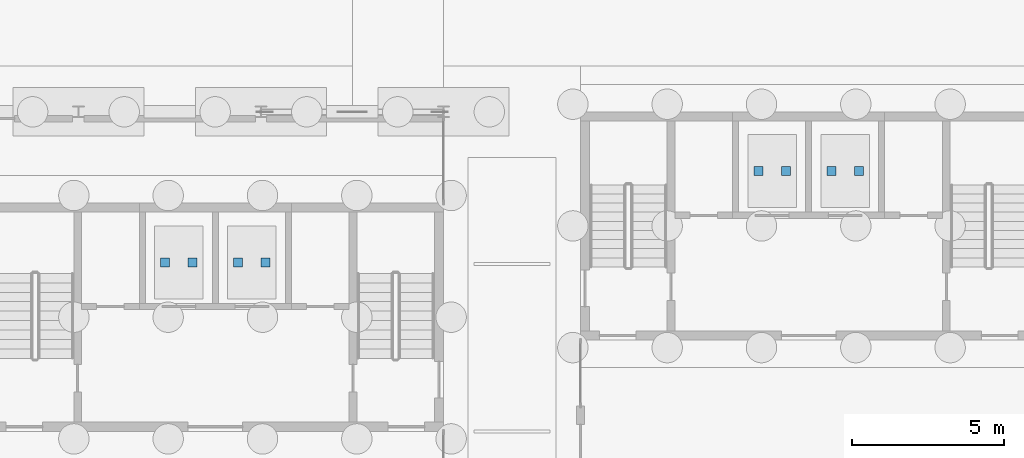
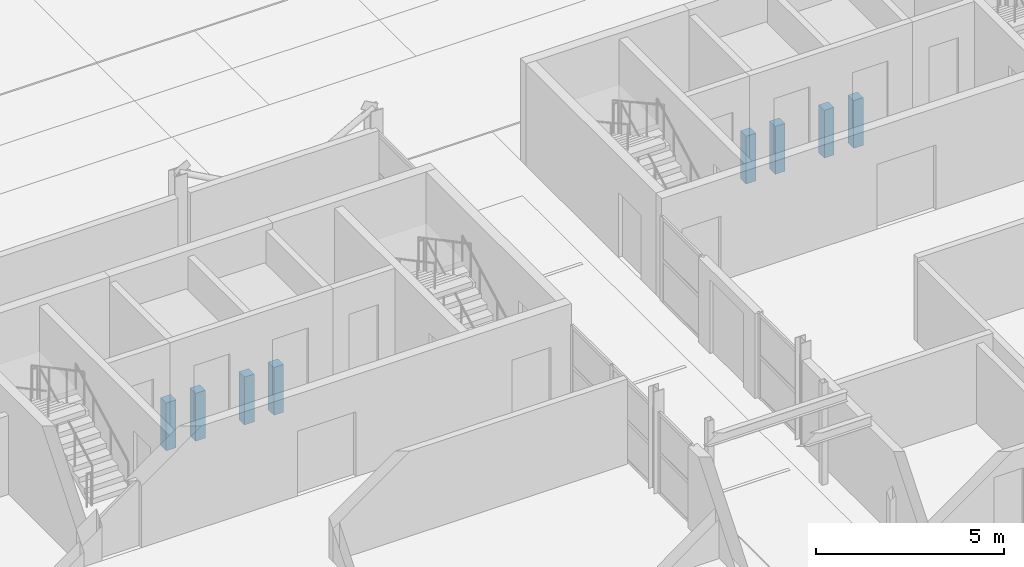
# One storey, part 97 of 130: 8 discrete accessories.
"""IFC4 building model written with IfcOpenShell, lengths in metres."""

from ifc_helpers import new_model, si_unit, direction, frame, origin, origin_2d, place, context, subcontext, project, spatial, rectangle, extrude, material, type_object, element, save


model = new_model("IFC4")

# Units and contexts
model_context = context("Model", 3, precision=1e-05, world=origin(), true_north=direction((0.0, 1.0)))
body_context = subcontext(model_context, "Body", "Model", "MODEL_VIEW")
ifc_project = project(units=[si_unit("LENGTHUNIT", "METRE"), si_unit("AREAUNIT", "SQUARE_METRE"), si_unit("VOLUMEUNIT", "CUBIC_METRE"), si_unit("PLANEANGLEUNIT", "RADIAN"), si_unit("MASSUNIT", "GRAM", prefix="KILO")], contexts=[model_context])

# Site, building, storey
site_placement = place(None, origin())
site = spatial("IfcSite", under=ifc_project, at=site_placement, CompositionType="ELEMENT")
building_placement = place(site_placement, origin())
building = spatial("IfcBuilding", under=site, at=building_placement, Name="Parallax Yard Mobility Hub", CompositionType="ELEMENT")
storey_placement = place(building_placement, origin())
storey = spatial("IfcBuildingStorey", under=building, at=storey_placement, Name="L00", CompositionType="ELEMENT", Elevation=0.0)

# Discrete accessories
ifc_material = material(Name="Steel ASTM A36", Category="steel")
discrete_accessory_type = type_object("IfcDiscreteAccessoryType", Name="Lift car buffer stand", PredefinedType="BRACKET", material=ifc_material)
for number, where, z_axis, x_axis, name in (
    (1, (103.35009765625, 50.550048828125, -1.5), (0.0, 0.0, 1.0), (1.0, 0.0, 0.0), "Lift LF13 buffer stand 1 in core C6-W"),
    (2, (104.25, 50.550048828125, -1.5), (0.0, 0.0, 1.0), (1.0, 0.0, 0.0), "Lift LF13 buffer stand 2 in core C6-W"),
    (3, (105.75, 50.550048828125, -1.5), (0.0, 0.0, 1.0), (1.0, 0.0, 0.0), "Lift LF14 buffer stand 1 in core C6-W"),
    (4, (106.64990234375, 50.550048828125, -1.5), (0.0, 0.0, 1.0), (1.0, 0.0, 0.0), "Lift LF14 buffer stand 2 in core C6-W"),
    (5, (83.85009765625, 47.550048828125, -1.5), (0.0, 0.0, 1.0), (1.0, 0.0, 0.0), "Lift LF19 buffer stand 1 in core C1"),
    (6, (84.75, 47.550048828125, -1.5), (0.0, 0.0, 1.0), (1.0, 0.0, 0.0), "Lift LF19 buffer stand 2 in core C1"),
    (7, (86.25, 47.550048828125, -1.5), (0.0, 0.0, 1.0), (1.0, 0.0, 0.0), "Lift LF20 buffer stand 1 in core C1"),
    (8, (87.14990234375, 47.550048828125, -1.5), (0.0, 0.0, 1.0), (1.0, 0.0, 0.0), "Lift LF20 buffer stand 2 in core C1"),
):
    element("IfcDiscreteAccessory", number, at=place(storey_placement, frame(where, z_axis=z_axis, x_axis=x_axis)), inside=storey, type_object=discrete_accessory_type, Name=name, PredefinedType="BRACKET", context=body_context, shape_type="SweptSolid", body=[
        extrude(rectangle(XDim=0.300048828125, YDim=0.300048828125, at=origin_2d()), origin(), (0.0, 0.0, 1.0), 1.550048828125),
    ])

save(model, "model.ifc")
